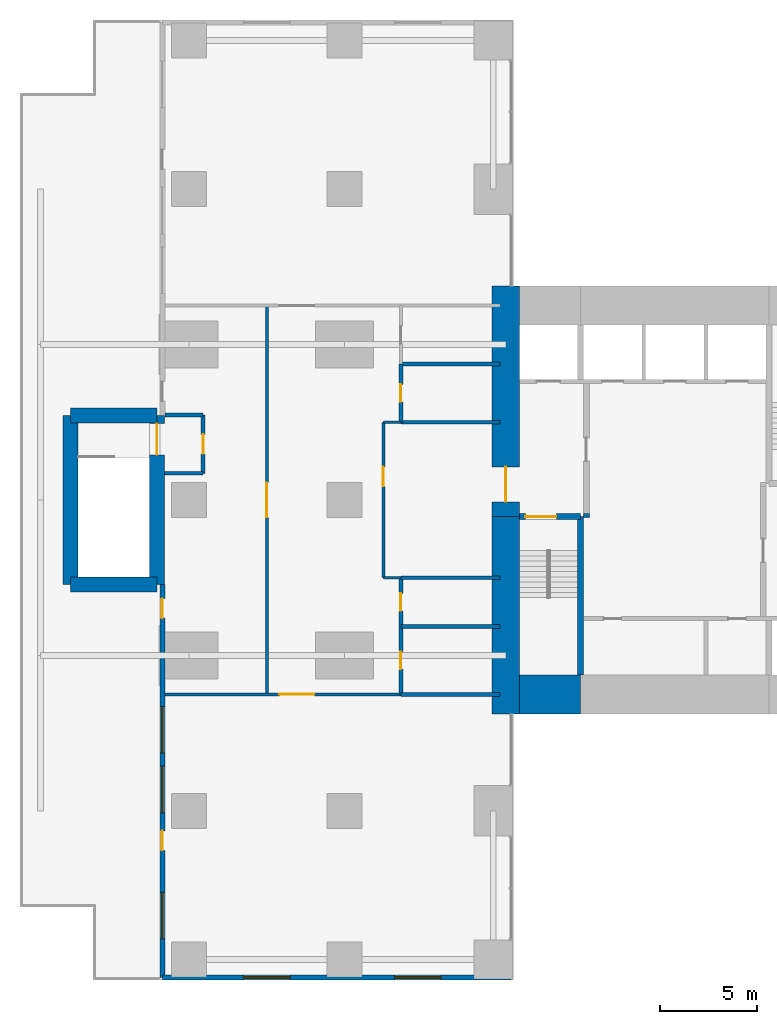
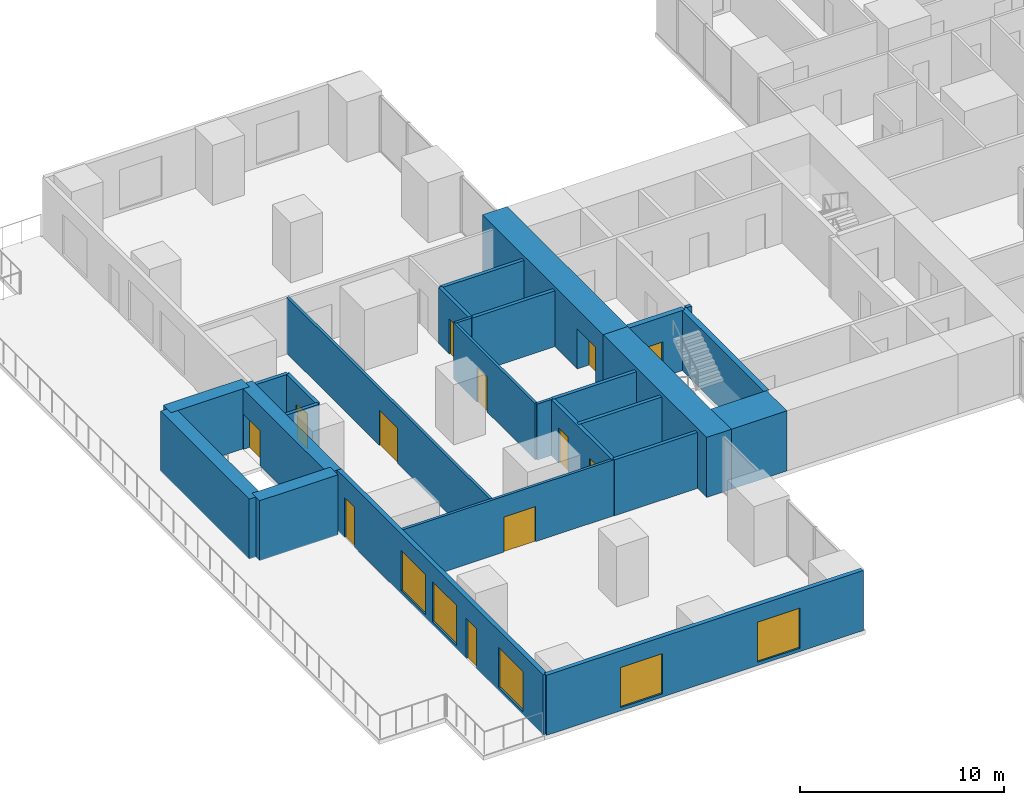
# One storey, part 10 of 16: 27 walls, 12 doors, 5 windows, 17 openings.
"""IFC4 building model written with IfcOpenShell, lengths in metres."""

import ifcopenshell
import ifcopenshell.guid

model = None  # the IFC model being written
_history = None  # IfcOwnerHistory: only IFC2X3 demands one
_inside = {}  # id of a spatial element -> (the spatial element, [elements in it])
_under = {}  # id of a project, library or spatial element -> (it, [spatial elements below it])
_declared = {}  # id of a project -> (the project, [libraries it declares])
_typed = {}  # id of a type object -> (the type object, [elements of that type])
_made_of = {}  # id of a material, layer set ... -> (it, [elements and type objects made of it])


def new_model(schema):
    """Start an empty IFC model of exactly this schema.

    Asked for "IFC4X3", IfcOpenShell would pick the latest addendum, in which some entities
    have other attributes; the version numbers below select the first issue.
    IFC2X3 requires an IfcOwnerHistory on every rooted entity: one is made here for all.
    """
    global model, _history
    if schema == "IFC4X3":
        model = ifcopenshell.file(schema_version=(4, 3, 0, 0))
    else:
        model = ifcopenshell.file(schema=schema)
    _inside.clear()
    _under.clear()
    _declared.clear()
    _typed.clear()
    _made_of.clear()
    _history = None
    if model.schema == "IFC2X3":
        org = make("IfcOrganization", Name="unknown")
        user = make(
            "IfcPersonAndOrganization",
            ThePerson=make("IfcPerson", FamilyName="unknown"),
            TheOrganization=org,
        )
        app = make(
            "IfcApplication",
            ApplicationDeveloper=org,
            Version="unknown",
            ApplicationFullName="unknown",
            ApplicationIdentifier="unknown",
        )
        _history = make(
            "IfcOwnerHistory",
            OwningUser=user,
            OwningApplication=app,
            ChangeAction="ADDED",
            CreationDate=0,
        )
    return model


def make(cls, **values):
    """One entity of the class cls with the attributes given. An attribute that is None is left unset."""
    return model.create_entity(
        cls, **{name: value for name, value in values.items() if value is not None}
    )


def rooted(cls, **values):
    """An entity with a GlobalId (a new one), such as an element, a storey or a relation."""
    return make(cls, GlobalId=ifcopenshell.guid.new(), OwnerHistory=_history, **values)


def si_unit(unit_type, name, prefix=None):
    """IfcSIUnit, for example si_unit("LENGTHUNIT", "METRE", prefix="MILLI")."""
    return make("IfcSIUnit", UnitType=unit_type, Prefix=prefix, Name=name)


def assignment(units):
    """IfcUnitAssignment: the units of a project."""
    return None if units is None else make("IfcUnitAssignment", Units=units)


def point(xyz):
    """IfcCartesianPoint."""
    return None if xyz is None else make("IfcCartesianPoint", Coordinates=xyz)


def direction(xyz):
    """IfcDirection."""
    return None if xyz is None else make("IfcDirection", DirectionRatios=xyz)


def frame(location, z_axis=None, x_axis=None):
    """IfcAxis2Placement3D, a coordinate frame: its origin and axes. An axis left out is left unset."""
    return make(
        "IfcAxis2Placement3D",
        Location=point(location),
        Axis=direction(z_axis),
        RefDirection=direction(x_axis),
    )


def frame_2d(location, x_axis=None):
    """IfcAxis2Placement2D, a coordinate frame in the plane: its origin and x axis."""
    return make(
        "IfcAxis2Placement2D", Location=point(location), RefDirection=direction(x_axis)
    )


def origin():
    """The frame at (0, 0, 0) with its axes left unset."""
    return frame((0.0, 0.0, 0.0))


def place(relative_to, where):
    """IfcLocalPlacement: puts the frame where relative to a parent placement (None: the world)."""
    return make(
        "IfcLocalPlacement", PlacementRelTo=relative_to, RelativePlacement=where
    )


def context(
    kind, dimensions, precision=None, world=None, true_north=None, identifier=None
):
    """IfcGeometricRepresentationContext, for example the 3D "Model" context."""
    return make(
        "IfcGeometricRepresentationContext",
        ContextIdentifier=identifier,
        ContextType=kind,
        CoordinateSpaceDimension=dimensions,
        Precision=precision,
        WorldCoordinateSystem=world,
        TrueNorth=true_north,
    )


def subcontext(parent, identifier, kind, view, scale=None):
    """IfcGeometricRepresentationSubContext, for example "Body" below "Model"."""
    return make(
        "IfcGeometricRepresentationSubContext",
        ContextIdentifier=identifier,
        ContextType=kind,
        ParentContext=parent,
        TargetScale=scale,
        TargetView=view,
    )


def project(units=None, contexts=None):
    """IfcProject with its units and contexts."""
    return rooted(
        "IfcProject",
        Name="project",
        RepresentationContexts=contexts,
        UnitsInContext=assignment(units),
    )


def spatial(cls, under=None, at=None, **own):
    """A site, building, storey or space (cls), placed at a placement, below another one or the project."""
    s = rooted(cls, ObjectPlacement=at, **own)
    if under is not None:
        _under.setdefault(under.id(), (under, []))[1].append(s)
    return s


def profile(cls, at=None, kind="AREA", **sizes):
    """A parametric profile (cls). Its sizes go by their IFC names, for example OverallWidth=200.0."""
    return make(cls, ProfileType=kind, Position=at, **sizes)


def rectangle(**sizes):
    """IfcRectangleProfileDef."""
    return profile("IfcRectangleProfileDef", **sizes)


def extrude(swept, where, along, depth):
    """IfcExtrudedAreaSolid: the profile swept, set in the frame where, extruded along a direction by depth."""
    return make(
        "IfcExtrudedAreaSolid",
        SweptArea=swept,
        Position=where,
        ExtrudedDirection=direction(along),
        Depth=depth,
    )


def shape(context_of_items, identifier, shape_type, items):
    """IfcShapeRepresentation: the items that make up one representation, for example the "Body"."""
    return make(
        "IfcShapeRepresentation",
        ContextOfItems=context_of_items,
        RepresentationIdentifier=identifier,
        RepresentationType=shape_type,
        Items=items,
    )


def material(Name=None, Category=None):
    """IfcMaterial."""
    return make("IfcMaterial", Name=Name, Category=Category)


def layer(
    of_material, thickness, ventilated=None, Name=None, Category=None, Priority=None
):
    """IfcMaterialLayer: one layer of a wall or slab, of a material (None: an air gap)."""
    return make(
        "IfcMaterialLayer",
        Material=of_material,
        LayerThickness=thickness,
        IsVentilated=ventilated,
        Name=Name,
        Category=Category,
        Priority=Priority,
    )


def layer_set(layers, Name=None):
    """IfcMaterialLayerSet."""
    return make("IfcMaterialLayerSet", MaterialLayers=layers, LayerSetName=Name)


def made_of(thing, what):
    """Note that an element or type object is made of a material, layer set ...; save() writes the relation."""
    if what is not None:
        _made_of.setdefault(what.id(), (what, []))[1].append(thing)
    return thing


def type_object(cls, material=None, **own):
    """A type object (cls), such as IfcWallType, which elements share."""
    return made_of(rooted(cls, **own), material)


def element(
    cls,
    number,
    at=None,
    inside=None,
    cuts=None,
    type_object=None,
    material=None,
    context=None,
    identifier="Body",
    shape_type=None,
    held_by="IfcProductDefinitionShape",
    body=None,
    shapes=None,
    **own,
):
    """One element of the class cls, such as IfcWall. Its Tag is "e" and its number.

    at: its placement. inside: the storey or other place that contains it. cuts: it is an
    opening in that element (IfcRelVoidsElement). A single representation is given by context,
    identifier, shape_type and body (its items); several are given by shapes. held_by: the class
    of the entity that holds the representations. save() writes the other relations.
    """
    e = rooted(cls, Tag="e%d" % number, ObjectPlacement=at, **own)
    if body is not None:
        shapes = [shape(context, identifier, shape_type, body)]
    if shapes is not None:
        e.Representation = make(held_by, Representations=shapes)
    if inside is not None:
        _inside.setdefault(inside.id(), (inside, []))[1].append(e)
    if cuts is not None:
        rooted(
            "IfcRelVoidsElement", RelatingBuildingElement=cuts, RelatedOpeningElement=e
        )
    if type_object is not None:
        _typed.setdefault(type_object.id(), (type_object, []))[1].append(e)
    return made_of(e, material)


def fill(opening, filler):
    """IfcRelFillsElement: the door or window that sits in an opening."""
    return rooted(
        "IfcRelFillsElement",
        RelatingOpeningElement=opening,
        RelatedBuildingElement=filler,
    )


def aggregate(whole, parts):
    """IfcRelAggregates: a whole, such as a stair, and the parts it consists of."""
    return rooted("IfcRelAggregates", RelatingObject=whole, RelatedObjects=parts)


def save(model, path):
    """Write the relations noted so far, then the file.

    IfcRelAggregates (storeys below a building ...), IfcRelContainedInSpatialStructure (elements
    in a storey), IfcRelDefinesByType, IfcRelAssociatesMaterial and IfcRelDeclares: one each for
    every whole, place, type object, material and project.
    """
    for whole, parts in _under.values():
        aggregate(whole, parts)
    for where, things in _inside.values():
        rooted(
            "IfcRelContainedInSpatialStructure",
            RelatedElements=things,
            RelatingStructure=where,
        )
    for kind, things in _typed.values():
        rooted("IfcRelDefinesByType", RelatedObjects=things, RelatingType=kind)
    for what, things in _made_of.values():
        rooted("IfcRelAssociatesMaterial", RelatedObjects=things, RelatingMaterial=what)
    for by, libraries in _declared.values():
        rooted("IfcRelDeclares", RelatingContext=by, RelatedDefinitions=libraries)
    model.write(path)


model = new_model("IFC4")

# Units and contexts
model_context = context("Model", 3, precision=1e-05, world=origin(), true_north=direction((0.0, 1.0)))
body_context = subcontext(model_context, "Body", "Model", "MODEL_VIEW")
ifc_project = project(units=[si_unit("LENGTHUNIT", "METRE"), si_unit("AREAUNIT", "SQUARE_METRE"), si_unit("VOLUMEUNIT", "CUBIC_METRE"), si_unit("PLANEANGLEUNIT", "RADIAN"), si_unit("MASSUNIT", "GRAM", prefix="KILO")], contexts=[model_context])

# Site, building, storey
site_placement = place(None, origin())
site = spatial("IfcSite", under=ifc_project, at=site_placement, CompositionType="ELEMENT")
building_placement = place(site_placement, origin())
building = spatial("IfcBuilding", under=site, at=building_placement, Name="Cleftline Residences", CompositionType="ELEMENT")
storey_placement = place(building_placement, frame((0.0, 0.0, 218.199951171875)))
storey = spatial("IfcBuildingStorey", under=building, at=storey_placement, Name="L57", CompositionType="ELEMENT", Elevation=218.199951171875)

# Wall
ifc_material_1 = material(Name="Concrete B70", Category="concrete")
ifc_layer_1 = layer(ifc_material_1, 1.39990234375)
ifc_layer_set_1 = layer_set([ifc_layer_1], Name="CORE WALL 1400")
wall_type_1 = type_object("IfcWallType", Name="CORE WALL 1400", PredefinedType="SHEAR", material=ifc_layer_set_1)
wall_1_placement = place(storey_placement, frame((24.300048828125, 13.0, 0.0), z_axis=(0.0, 0.0, 1.0), x_axis=(0.0, 1.0, 0.0)))
element("IfcWall", 1, at=wall_1_placement, inside=storey, type_object=wall_type_1, Name="Core wall W0", PredefinedType="SHEAR", context=body_context, shape_type="SweptSolid", body=[
    extrude(rectangle(XDim=10.14990234375, YDim=1.39990234375, at=frame_2d((5.074951171875, 0.0))), origin(), (0.0, 0.0, 1.0), 3.60009765625),
])

# Wall, opening, door
wall_2_placement = place(storey_placement, frame((24.300048828125, 23.14990234375, 0.0), z_axis=(0.0, 0.0, 1.0), x_axis=(0.0, 1.0, 0.0)))
wall_2 = element("IfcWall", 2, at=wall_2_placement, inside=storey, type_object=wall_type_1, Name="Core wall W", PredefinedType="SHEAR", context=body_context, shape_type="SweptSolid", body=[
    extrude(rectangle(XDim=11.85009765625, YDim=1.39990234375, at=frame_2d((5.925048828125, 0.0))), origin(), (0.0, 0.0, 1.0), 3.60009765625),
])
opening_1_placement = place(wall_2_placement, frame((0.75, 0.0, 0.0)))
opening_1 = element("IfcOpeningElement", 3, at=opening_1_placement, cuts=wall_2, Name="Opening D7", PredefinedType="OPENING", context=body_context, shape_type="SweptSolid", body=[
    extrude(rectangle(XDim=1.800048828125, YDim=2.39990234375, at=frame_2d((0.89990234375, 1.199951171875))), frame((0.0, 0.7099609375, 0.0), z_axis=(0.0, -1.0, 0.0), x_axis=(1.0, 0.0, 0.0)), (0.0, 0.0, 1.0), 1.419921875),
])
ifc_material_2 = material(Name="Steel", Category="steel")
door_type_1 = type_object("IfcDoorType", Name="WING DOOR 1800X2400", OperationType="DOUBLE_DOOR_DOUBLE_SWING", PredefinedType="DOOR", material=ifc_material_2)
door_1_placement = place(opening_1_placement, origin())
door_1 = element("IfcDoor", 4, at=door_1_placement, inside=storey, type_object=door_type_1, Name="West wing door", OperationType="DOUBLE_DOOR_DOUBLE_SWING", OverallHeight=2.39990234375, OverallWidth=1.800048828125, PredefinedType="DOOR", context=body_context, shape_type="SweptSolid", body=[
    extrude(rectangle(XDim=1.800048828125, YDim=2.39990234375, at=frame_2d((0.89990234375, 1.199951171875))), frame((0.0, 0.02490234375, 0.0), z_axis=(0.0, -1.0, 0.0), x_axis=(1.0, 0.0, 0.0)), (0.0, 0.0, 1.0), 0.050048828125),
])
fill(opening_1, door_1)

# Walls
ifc_material_3 = material(Name="Concrete B70", Category="concrete")
ifc_layer_2 = layer(ifc_material_3, 2.0)
ifc_layer_set_2 = layer_set([ifc_layer_2], Name="CORE WALL 2000")
wall_type_2 = type_object("IfcWallType", Name="CORE WALL 2000", PredefinedType="SHEAR", material=ifc_layer_set_2)
wall_3_placement = place(storey_placement, frame((25.0, 14.0, 0.0), z_axis=(0.0, 0.0, 1.0), x_axis=(1.0, 0.0, 0.0)))
element("IfcWall", 5, at=wall_3_placement, inside=storey, type_object=wall_type_2, Name="Core wall S1", PredefinedType="SHEAR", context=body_context, shape_type="SweptSolid", body=[
    extrude(rectangle(XDim=3.14990234375, YDim=2.0, at=frame_2d((1.574951171875, 0.0))), origin(), (0.0, 0.0, 1.0), 3.60009765625),
])
ifc_material_4 = material(Name="Concrete B70", Category="concrete")
ifc_layer_3 = layer(ifc_material_4, 0.300048828125)
ifc_layer_set_3 = layer_set([ifc_layer_3], Name="CORE WALL 300")
wall_type_3 = type_object("IfcWallType", Name="CORE WALL 300", PredefinedType="SHEAR", material=ifc_layer_set_3)
wall_4_placement = place(storey_placement, frame((28.14990234375, 15.0, 0.0), z_axis=(0.0, 0.0, 1.0), x_axis=(0.0, 1.0, 0.0)))
element("IfcWall", 6, at=wall_4_placement, inside=storey, type_object=wall_type_3, Name="Core wall SA-E", PredefinedType="SHEAR", context=body_context, shape_type="SweptSolid", body=[
    extrude(rectangle(XDim=8.14990234375, YDim=0.300048828125, at=frame_2d((4.074951171875, 0.0))), origin(), (0.0, 0.0, 1.0), 3.60009765625),
])

# Wall, opening, door
wall_5_placement = place(storey_placement, frame((25.0, 23.14990234375, 0.0), z_axis=(0.0, 0.0, 1.0), x_axis=(1.0, 0.0, 0.0)))
wall_5 = element("IfcWall", 7, at=wall_5_placement, inside=storey, type_object=wall_type_3, Name="Core wall SA-N", PredefinedType="SHEAR", context=body_context, shape_type="SweptSolid", body=[
    extrude(rectangle(XDim=3.14990234375, YDim=0.300048828125, at=frame_2d((1.574951171875, 0.0))), origin(), (0.0, 0.0, 1.0), 3.60009765625),
])
opening_2_placement = place(wall_5_placement, frame((0.300048828125, 0.0, 0.0)))
opening_2 = element("IfcOpeningElement", 8, at=opening_2_placement, cuts=wall_5, Name="Opening D9", PredefinedType="OPENING", context=body_context, shape_type="SweptSolid", body=[
    extrude(rectangle(XDim=1.60009765625, YDim=2.10009765625, at=frame_2d((0.800048828125, 1.050048828125))), frame((0.0, 0.159912109375, 0.0), z_axis=(0.0, -1.0, 0.0), x_axis=(1.0, 0.0, 0.0)), (0.0, 0.0, 1.0), 0.320068359375),
])
ifc_material_5 = material(Name="Steel", Category="steel")
door_type_2 = type_object("IfcDoorType", Name="STAIR DOOR 1600X2100", OperationType="DOUBLE_DOOR_SINGLE_SWING", PredefinedType="DOOR", material=ifc_material_5)
door_2_placement = place(opening_2_placement, origin())
door_2 = element("IfcDoor", 9, at=door_2_placement, inside=storey, type_object=door_type_2, Name="Stair A door", OperationType="DOUBLE_DOOR_SINGLE_SWING", OverallHeight=2.10009765625, OverallWidth=1.60009765625, PredefinedType="DOOR", context=body_context, shape_type="SweptSolid", body=[
    extrude(rectangle(XDim=1.60009765625, YDim=2.10009765625, at=frame_2d((0.800048828125, 1.050048828125))), frame((0.0, 0.02490234375, 0.0), z_axis=(0.0, -1.0, 0.0), x_axis=(1.0, 0.0, 0.0)), (0.0, 0.0, 1.0), 0.050048828125),
])
fill(opening_2, door_2)

# Wall, openings, doors, windows
ifc_material_6 = material(Name="Rendered reinforced concrete blockwork", Category="masonry")
ifc_layer_4 = layer(ifc_material_6, 0.25)
ifc_layer_set_4 = layer_set([ifc_layer_4], Name="EXTERNAL WALL 250")
wall_type_4 = type_object("IfcWallType", Name="EXTERNAL WALL 250", PredefinedType="SOLIDWALL", material=ifc_layer_set_4)
wall_6_placement = place(storey_placement, frame((6.625, 19.64990234375, 0.0), z_axis=(0.0, 0.0, 1.0), x_axis=(0.0, -1.0, 0.0)))
wall_6 = element("IfcWall", 10, at=wall_6_placement, inside=storey, type_object=wall_type_4, Name="External wall", PredefinedType="SOLIDWALL", context=body_context, shape_type="SweptSolid", body=[
    extrude(rectangle(XDim=20.224853515625, YDim=0.25, at=frame_2d((10.1123046875, 0.0))), origin(), (0.0, 0.0, 1.0), 3.60009765625),
])
opening_3_placement = place(wall_6_placement, frame((0.72509765625, 0.0, 0.0)))
opening_3 = element("IfcOpeningElement", 11, at=opening_3_placement, cuts=wall_6, Name="Opening DT1", PredefinedType="OPENING", context=body_context, shape_type="SweptSolid", body=[
    extrude(rectangle(XDim=1.0, YDim=2.39990234375, at=frame_2d((0.5, 1.199951171875))), frame((0.0, 0.135009765625, 0.0), z_axis=(0.0, -1.0, 0.0), x_axis=(1.0, 0.0, 0.0)), (0.0, 0.0, 1.0), 0.27001953125),
])
opening_4_placement = place(wall_6_placement, frame((12.675048828125, 0.0, 0.0)))
opening_4 = element("IfcOpeningElement", 12, at=opening_4_placement, cuts=wall_6, Name="Opening DT1", PredefinedType="OPENING", context=body_context, shape_type="SweptSolid", body=[
    extrude(rectangle(XDim=1.0, YDim=2.39990234375, at=frame_2d((0.5, 1.199951171875))), frame((0.0, 0.135009765625, 0.0), z_axis=(0.0, -1.0, 0.0), x_axis=(1.0, 0.0, 0.0)), (0.0, 0.0, 1.0), 0.27001953125),
])
opening_5_placement = place(wall_6_placement, frame((6.28125, 0.0, 0.199951171875)))
opening_5 = element("IfcOpeningElement", 13, at=opening_5_placement, cuts=wall_6, Name="Opening W9", PredefinedType="OPENING", context=body_context, shape_type="SweptSolid", body=[
    extrude(rectangle(XDim=2.39990234375, YDim=2.39990234375, at=frame_2d((1.199951171875, 1.199951171875))), frame((0.0, 0.135009765625, 0.0), z_axis=(0.0, -1.0, 0.0), x_axis=(1.0, 0.0, 0.0)), (0.0, 0.0, 1.0), 0.27001953125),
])
opening_6_placement = place(wall_6_placement, frame((9.34375, 0.0, 0.199951171875)))
opening_6 = element("IfcOpeningElement", 14, at=opening_6_placement, cuts=wall_6, Name="Opening W9", PredefinedType="OPENING", context=body_context, shape_type="SweptSolid", body=[
    extrude(rectangle(XDim=2.39990234375, YDim=2.39990234375, at=frame_2d((1.199951171875, 1.199951171875))), frame((0.0, 0.135009765625, 0.0), z_axis=(0.0, -1.0, 0.0), x_axis=(1.0, 0.0, 0.0)), (0.0, 0.0, 1.0), 0.27001953125),
])
opening_7_placement = place(wall_6_placement, frame((15.83740234375, 0.0, 0.199951171875)))
opening_7 = element("IfcOpeningElement", 15, at=opening_7_placement, cuts=wall_6, Name="Opening W9", PredefinedType="OPENING", context=body_context, shape_type="SweptSolid", body=[
    extrude(rectangle(XDim=2.39990234375, YDim=2.39990234375, at=frame_2d((1.199951171875, 1.199951171875))), frame((0.0, 0.135009765625, 0.0), z_axis=(0.0, -1.0, 0.0), x_axis=(1.0, 0.0, 0.0)), (0.0, 0.0, 1.0), 0.27001953125),
])
ifc_material_7 = material(Name="Aluminium and laminated glass", Category="aluminium")
door_type_3 = type_object("IfcDoorType", Name="TERRACE DOOR 1000X2400", OperationType="SINGLE_SWING_LEFT", PredefinedType="DOOR", material=ifc_material_7)
door_3_placement = place(opening_3_placement, origin())
door_3 = element("IfcDoor", 16, at=door_3_placement, inside=storey, type_object=door_type_3, Name="Terrace door", OperationType="SINGLE_SWING_RIGHT", OverallHeight=2.39990234375, OverallWidth=1.0, PredefinedType="DOOR", context=body_context, shape_type="SweptSolid", body=[
    extrude(rectangle(XDim=1.0, YDim=2.39990234375, at=frame_2d((0.5, 1.199951171875))), frame((0.0, 0.02490234375, 0.0), z_axis=(0.0, -1.0, 0.0), x_axis=(1.0, 0.0, 0.0)), (0.0, 0.0, 1.0), 0.050048828125),
])
fill(opening_3, door_3)
door_4_placement = place(opening_4_placement, origin())
door_4 = element("IfcDoor", 17, at=door_4_placement, inside=storey, type_object=door_type_3, Name="Terrace door", OperationType="SINGLE_SWING_LEFT", OverallHeight=2.39990234375, OverallWidth=1.0, PredefinedType="DOOR", context=body_context, shape_type="SweptSolid", body=[
    extrude(rectangle(XDim=1.0, YDim=2.39990234375, at=frame_2d((0.5, 1.199951171875))), frame((0.0, 0.02490234375, 0.0), z_axis=(0.0, -1.0, 0.0), x_axis=(1.0, 0.0, 0.0)), (0.0, 0.0, 1.0), 0.050048828125),
])
fill(opening_4, door_4)
ifc_material_8 = material(Name="Aluminium frame, clear double glazing", Category="aluminium")
window_type = type_object("IfcWindowType", Name="WINDOW 2400X2400", PartitioningType="DOUBLE_PANEL_VERTICAL", PredefinedType="WINDOW", material=ifc_material_8)
window_1_placement = place(opening_5_placement, origin())
window_1 = element("IfcWindow", 18, at=window_1_placement, inside=storey, type_object=window_type, Name="Window", OverallHeight=2.39990234375, OverallWidth=2.39990234375, PartitioningType="SINGLE_PANEL", PredefinedType="WINDOW", context=body_context, shape_type="SweptSolid", body=[
    extrude(rectangle(XDim=2.39990234375, YDim=2.39990234375, at=frame_2d((1.199951171875, 1.199951171875))), frame((0.0, 0.030029296875, 0.0), z_axis=(0.0, -1.0, 0.0), x_axis=(1.0, 0.0, 0.0)), (0.0, 0.0, 1.0), 0.06005859375),
])
fill(opening_5, window_1)
window_2_placement = place(opening_6_placement, origin())
window_2 = element("IfcWindow", 19, at=window_2_placement, inside=storey, type_object=window_type, Name="Window", OverallHeight=2.39990234375, OverallWidth=2.39990234375, PartitioningType="SINGLE_PANEL", PredefinedType="WINDOW", context=body_context, shape_type="SweptSolid", body=[
    extrude(rectangle(XDim=2.39990234375, YDim=2.39990234375, at=frame_2d((1.199951171875, 1.199951171875))), frame((0.0, 0.030029296875, 0.0), z_axis=(0.0, -1.0, 0.0), x_axis=(1.0, 0.0, 0.0)), (0.0, 0.0, 1.0), 0.06005859375),
])
fill(opening_6, window_2)
window_3_placement = place(opening_7_placement, origin())
window_3 = element("IfcWindow", 20, at=window_3_placement, inside=storey, type_object=window_type, Name="Window", OverallHeight=2.39990234375, OverallWidth=2.39990234375, PartitioningType="SINGLE_PANEL", PredefinedType="WINDOW", context=body_context, shape_type="SweptSolid", body=[
    extrude(rectangle(XDim=2.39990234375, YDim=2.39990234375, at=frame_2d((1.199951171875, 1.199951171875))), frame((0.0, 0.030029296875, 0.0), z_axis=(0.0, -1.0, 0.0), x_axis=(1.0, 0.0, 0.0)), (0.0, 0.0, 1.0), 0.06005859375),
])
fill(opening_7, window_3)

# Wall, openings, windows
wall_7_placement = place(storey_placement, frame((6.625, -0.574951171875, 0.0), z_axis=(0.0, 0.0, 1.0), x_axis=(1.0, 0.0, 0.0)))
wall_7 = element("IfcWall", 21, at=wall_7_placement, inside=storey, type_object=wall_type_4, Name="External wall", PredefinedType="SOLIDWALL", context=body_context, shape_type="SweptSolid", body=[
    extrude(rectangle(XDim=17.949951171875, YDim=0.25, at=frame_2d((8.97509765625, 0.0))), origin(), (0.0, 0.0, 1.0), 3.60009765625),
])
opening_8_placement = place(wall_7_placement, frame((4.175048828125, 0.0, 0.199951171875)))
opening_8 = element("IfcOpeningElement", 22, at=opening_8_placement, cuts=wall_7, Name="Opening W9", PredefinedType="OPENING", context=body_context, shape_type="SweptSolid", body=[
    extrude(rectangle(XDim=2.39990234375, YDim=2.39990234375, at=frame_2d((1.199951171875, 1.199951171875))), frame((0.0, 0.135009765625, 0.0), z_axis=(0.0, -1.0, 0.0), x_axis=(1.0, 0.0, 0.0)), (0.0, 0.0, 1.0), 0.27001953125),
])
opening_9_placement = place(wall_7_placement, frame((11.949951171875, 0.0, 0.199951171875)))
opening_9 = element("IfcOpeningElement", 23, at=opening_9_placement, cuts=wall_7, Name="Opening W9", PredefinedType="OPENING", context=body_context, shape_type="SweptSolid", body=[
    extrude(rectangle(XDim=2.39990234375, YDim=2.39990234375, at=frame_2d((1.199951171875, 1.199951171875))), frame((0.0, 0.135009765625, 0.0), z_axis=(0.0, -1.0, 0.0), x_axis=(1.0, 0.0, 0.0)), (0.0, 0.0, 1.0), 0.27001953125),
])
window_4_placement = place(opening_8_placement, origin())
window_4 = element("IfcWindow", 24, at=window_4_placement, inside=storey, type_object=window_type, Name="Window", OverallHeight=2.39990234375, OverallWidth=2.39990234375, PartitioningType="SINGLE_PANEL", PredefinedType="WINDOW", context=body_context, shape_type="SweptSolid", body=[
    extrude(rectangle(XDim=2.39990234375, YDim=2.39990234375, at=frame_2d((1.199951171875, 1.199951171875))), frame((0.0, 0.030029296875, 0.0), z_axis=(0.0, -1.0, 0.0), x_axis=(1.0, 0.0, 0.0)), (0.0, 0.0, 1.0), 0.06005859375),
])
fill(opening_8, window_4)
window_5_placement = place(opening_9_placement, origin())
window_5 = element("IfcWindow", 25, at=window_5_placement, inside=storey, type_object=window_type, Name="Window", OverallHeight=2.39990234375, OverallWidth=2.39990234375, PartitioningType="SINGLE_PANEL", PredefinedType="WINDOW", context=body_context, shape_type="SweptSolid", body=[
    extrude(rectangle(XDim=2.39990234375, YDim=2.39990234375, at=frame_2d((1.199951171875, 1.199951171875))), frame((0.0, 0.030029296875, 0.0), z_axis=(0.0, -1.0, 0.0), x_axis=(1.0, 0.0, 0.0)), (0.0, 0.0, 1.0), 0.06005859375),
])
fill(opening_9, window_5)

# Walls
ifc_material_9 = material(Name="Concrete blockwork, fire rated", Category="masonry")
ifc_layer_5 = layer(ifc_material_9, 0.199951171875)
ifc_layer_set_5 = layer_set([ifc_layer_5], Name="FIRE WALL 200")
wall_type_5 = type_object("IfcWallType", Name="FIRE WALL 200", PredefinedType="PARTITIONING", material=ifc_layer_set_5)
for number, where, z_axis, x_axis, name in (
    (26, (18.89990234375, 14.0, 0.0), (0.0, 0.0, 1.0), (1.0, 0.0, 0.0), "Fire separating wall"),
    (27, (18.89990234375, 17.5, 0.0), (0.0, 0.0, 1.0), (1.0, 0.0, 0.0), "Fire separating wall"),
    (28, (18.89990234375, 20.0, 0.0), (0.0, 0.0, 1.0), (1.0, 0.0, 0.0), "Fire separating wall"),
):
    element("IfcWall", number, at=place(storey_placement, frame(where, z_axis=z_axis, x_axis=x_axis)), inside=storey, type_object=wall_type_5, Name=name, PredefinedType="PARTITIONING", context=body_context, shape_type="SweptSolid", body=[
        extrude(rectangle(XDim=5.10009765625, YDim=0.199951171875, at=frame_2d((2.550048828125, 0.0))), origin(), (0.0, 0.0, 1.0), 3.35009765625),
    ])
wall_8_placement = place(storey_placement, frame((6.72509765625, 25.375, 0.0), z_axis=(0.0, 0.0, 1.0), x_axis=(1.0, 0.0, 0.0)))
element("IfcWall", 29, at=wall_8_placement, inside=storey, type_object=wall_type_5, Name="Fire separating wall", PredefinedType="PARTITIONING", context=body_context, shape_type="SweptSolid", body=[
    extrude(rectangle(XDim=2.0, YDim=0.199951171875, at=frame_2d((1.0, 0.0))), origin(), (0.0, 0.0, 1.0), 3.35009765625),
])
wall_9_placement = place(storey_placement, frame((18.89990234375, 28.0, 0.0), z_axis=(0.0, 0.0, 1.0), x_axis=(1.0, 0.0, 0.0)))
element("IfcWall", 30, at=wall_9_placement, inside=storey, type_object=wall_type_5, Name="Fire separating wall", PredefinedType="PARTITIONING", context=body_context, shape_type="SweptSolid", body=[
    extrude(rectangle(XDim=5.10009765625, YDim=0.199951171875, at=frame_2d((2.550048828125, 0.0))), origin(), (0.0, 0.0, 1.0), 3.35009765625),
])
wall_10_placement = place(storey_placement, frame((6.75, 28.375, 0.0), z_axis=(0.0, 0.0, 1.0), x_axis=(1.0, 0.0, 0.0)))
element("IfcWall", 31, at=wall_10_placement, inside=storey, type_object=wall_type_5, Name="Fire separating wall", PredefinedType="PARTITIONING", context=body_context, shape_type="SweptSolid", body=[
    extrude(rectangle(XDim=1.97509765625, YDim=0.199951171875, at=frame_2d((0.987548828125, 0.0))), origin(), (0.0, 0.0, 1.0), 3.35009765625),
])
wall_11_placement = place(storey_placement, frame((18.89990234375, 31.0, 0.0), z_axis=(0.0, 0.0, 1.0), x_axis=(1.0, 0.0, 0.0)))
element("IfcWall", 32, at=wall_11_placement, inside=storey, type_object=wall_type_5, Name="Fire separating wall", PredefinedType="PARTITIONING", context=body_context, shape_type="SweptSolid", body=[
    extrude(rectangle(XDim=5.10009765625, YDim=0.199951171875, at=frame_2d((2.550048828125, 0.0))), origin(), (0.0, 0.0, 1.0), 3.35009765625),
])

# Wall, opening, door
wall_12_placement = place(storey_placement, frame((8.72509765625, 25.375, 0.0), z_axis=(0.0, 0.0, 1.0), x_axis=(0.0, 1.0, 0.0)))
wall_12 = element("IfcWall", 33, at=wall_12_placement, inside=storey, type_object=wall_type_5, Name="Fire separating wall", PredefinedType="PARTITIONING", context=body_context, shape_type="SweptSolid", body=[
    extrude(rectangle(XDim=3.0, YDim=0.199951171875, at=frame_2d((1.5, 0.0))), origin(), (0.0, 0.0, 1.0), 3.35009765625),
])
opening_10_placement = place(wall_12_placement, frame((1.0, 0.0, 0.0)))
opening_10 = element("IfcOpeningElement", 34, at=opening_10_placement, cuts=wall_12, Name="Opening D2F60", PredefinedType="OPENING", context=body_context, shape_type="SweptSolid", body=[
    extrude(rectangle(XDim=1.0, YDim=2.10009765625, at=frame_2d((0.5, 1.050048828125))), frame((0.0, 0.10986328125, 0.0), z_axis=(0.0, -1.0, 0.0), x_axis=(1.0, 0.0, 0.0)), (0.0, 0.0, 1.0), 0.219970703125),
])
ifc_material_10 = material(Name="Timber veneer on solid core", Category="wood")
door_type_4 = type_object("IfcDoorType", Name="DOOR 1000X2100 EI 60", OperationType="SINGLE_SWING_LEFT", PredefinedType="DOOR", material=ifc_material_10)
door_5_placement = place(opening_10_placement, origin())
door_5 = element("IfcDoor", 35, at=door_5_placement, inside=storey, type_object=door_type_4, Name="Door to stair w lobby", OperationType="SINGLE_SWING_LEFT", OverallHeight=2.10009765625, OverallWidth=1.0, PredefinedType="DOOR", context=body_context, shape_type="SweptSolid", body=[
    extrude(rectangle(XDim=1.0, YDim=2.10009765625, at=frame_2d((0.5, 1.050048828125))), frame((0.0, 0.02490234375, 0.0), z_axis=(0.0, -1.0, 0.0), x_axis=(1.0, 0.0, 0.0)), (0.0, 0.0, 1.0), 0.050048828125),
])
fill(opening_10, door_5)

# Wall, openings, doors
wall_13_placement = place(storey_placement, frame((18.89990234375, 14.0, 0.0), z_axis=(0.0, 0.0, 1.0), x_axis=(0.0, 1.0, 0.0)))
wall_13 = element("IfcWall", 36, at=wall_13_placement, inside=storey, type_object=wall_type_5, Name="Fire separating wall", PredefinedType="PARTITIONING", context=body_context, shape_type="SweptSolid", body=[
    extrude(rectangle(XDim=6.0, YDim=0.199951171875, at=frame_2d((3.0, 0.0))), origin(), (0.0, 0.0, 1.0), 3.35009765625),
])
opening_11_placement = place(wall_13_placement, frame((1.300048828125, 0.0, 0.0)))
opening_11 = element("IfcOpeningElement", 37, at=opening_11_placement, cuts=wall_13, Name="Opening D1F30", PredefinedType="OPENING", context=body_context, shape_type="SweptSolid", body=[
    extrude(rectangle(XDim=0.89990234375, YDim=2.10009765625, at=frame_2d((0.449951171875, 1.050048828125))), frame((0.0, 0.10986328125, 0.0), z_axis=(0.0, -1.0, 0.0), x_axis=(1.0, 0.0, 0.0)), (0.0, 0.0, 1.0), 0.219970703125),
])
opening_12_placement = place(wall_13_placement, frame((4.300048828125, 0.0, 0.0)))
opening_12 = element("IfcOpeningElement", 38, at=opening_12_placement, cuts=wall_13, Name="Opening D1F30", PredefinedType="OPENING", context=body_context, shape_type="SweptSolid", body=[
    extrude(rectangle(XDim=0.89990234375, YDim=2.10009765625, at=frame_2d((0.449951171875, 1.050048828125))), frame((0.0, 0.10986328125, 0.0), z_axis=(0.0, -1.0, 0.0), x_axis=(1.0, 0.0, 0.0)), (0.0, 0.0, 1.0), 0.219970703125),
])
ifc_material_11 = material(Name="Timber veneer on solid core", Category="wood")
door_type_5 = type_object("IfcDoorType", Name="DOOR 900X2100 EI 30", OperationType="SINGLE_SWING_LEFT", PredefinedType="DOOR", material=ifc_material_11)
door_6_placement = place(opening_11_placement, origin())
door_6 = element("IfcDoor", 39, at=door_6_placement, inside=storey, type_object=door_type_5, Name="Door to male wc", OperationType="SINGLE_SWING_RIGHT", OverallHeight=2.10009765625, OverallWidth=0.89990234375, PredefinedType="DOOR", context=body_context, shape_type="SweptSolid", body=[
    extrude(rectangle(XDim=0.89990234375, YDim=2.10009765625, at=frame_2d((0.449951171875, 1.050048828125))), frame((0.0, 0.02490234375, 0.0), z_axis=(0.0, -1.0, 0.0), x_axis=(1.0, 0.0, 0.0)), (0.0, 0.0, 1.0), 0.050048828125),
])
fill(opening_11, door_6)
door_7_placement = place(opening_12_placement, origin())
door_7 = element("IfcDoor", 40, at=door_7_placement, inside=storey, type_object=door_type_5, Name="Door to female wc", OperationType="SINGLE_SWING_LEFT", OverallHeight=2.10009765625, OverallWidth=0.89990234375, PredefinedType="DOOR", context=body_context, shape_type="SweptSolid", body=[
    extrude(rectangle(XDim=0.89990234375, YDim=2.10009765625, at=frame_2d((0.449951171875, 1.050048828125))), frame((0.0, 0.02490234375, 0.0), z_axis=(0.0, -1.0, 0.0), x_axis=(1.0, 0.0, 0.0)), (0.0, 0.0, 1.0), 0.050048828125),
])
fill(opening_12, door_7)

# Wall, opening, door
wall_14_placement = place(storey_placement, frame((18.89990234375, 28.0, 0.0), z_axis=(0.0, 0.0, 1.0), x_axis=(0.0, 1.0, 0.0)))
wall_14 = element("IfcWall", 41, at=wall_14_placement, inside=storey, type_object=wall_type_5, Name="Fire separating wall", PredefinedType="PARTITIONING", context=body_context, shape_type="SweptSolid", body=[
    extrude(rectangle(XDim=3.0, YDim=0.199951171875, at=frame_2d((1.5, 0.0))), origin(), (0.0, 0.0, 1.0), 3.35009765625),
])
opening_13_placement = place(wall_14_placement, frame((1.050048828125, 0.0, 0.0)))
opening_13 = element("IfcOpeningElement", 42, at=opening_13_placement, cuts=wall_14, Name="Opening D1F30", PredefinedType="OPENING", context=body_context, shape_type="SweptSolid", body=[
    extrude(rectangle(XDim=0.89990234375, YDim=2.10009765625, at=frame_2d((0.449951171875, 1.050048828125))), frame((0.0, 0.10986328125, 0.0), z_axis=(0.0, -1.0, 0.0), x_axis=(1.0, 0.0, 0.0)), (0.0, 0.0, 1.0), 0.219970703125),
])
door_8_placement = place(opening_13_placement, origin())
door_8 = element("IfcDoor", 43, at=door_8_placement, inside=storey, type_object=door_type_5, Name="Door to accessible wc", OperationType="SINGLE_SWING_LEFT", OverallHeight=2.10009765625, OverallWidth=0.89990234375, PredefinedType="DOOR", context=body_context, shape_type="SweptSolid", body=[
    extrude(rectangle(XDim=0.89990234375, YDim=2.10009765625, at=frame_2d((0.449951171875, 1.050048828125))), frame((0.0, 0.02490234375, 0.0), z_axis=(0.0, -1.0, 0.0), x_axis=(1.0, 0.0, 0.0)), (0.0, 0.0, 1.0), 0.050048828125),
])
fill(opening_13, door_8)

# Wall
wall_15_placement = place(storey_placement, frame((28.300048828125, 23.199951171875, 0.0), z_axis=(0.0, 0.0, 1.0), x_axis=(1.0, 0.0, 0.0)))
element("IfcWall", 44, at=wall_15_placement, inside=storey, type_object=wall_type_5, Name="Fire separating wall", PredefinedType="PARTITIONING", context=body_context, shape_type="SweptSolid", body=[
    extrude(rectangle(XDim=0.300048828125, YDim=0.199951171875, at=frame_2d((0.14990234375, 0.0))), origin(), (0.0, 0.0, 1.0), 3.60009765625),
])

# Wall, opening, door
ifc_material_12 = material(Name="Gypsum board on steel studs", Category="steel")
ifc_layer_6 = layer(ifc_material_12, 0.14990234375)
ifc_layer_set_6 = layer_set([ifc_layer_6], Name="PARTITION 150")
wall_type_6 = type_object("IfcWallType", Name="PARTITION 150", PredefinedType="PARTITIONING", material=ifc_layer_set_6)
wall_16_placement = place(storey_placement, frame((6.75, 14.0, 0.0), z_axis=(0.0, 0.0, 1.0), x_axis=(1.0, 0.0, 0.0)))
wall_16 = element("IfcWall", 45, at=wall_16_placement, inside=storey, type_object=wall_type_6, Name="Partition", PredefinedType="PARTITIONING", context=body_context, shape_type="SweptSolid", body=[
    extrude(rectangle(XDim=12.14990234375, YDim=0.14990234375, at=frame_2d((6.074951171875, 0.0))), origin(), (0.0, 0.0, 1.0), 3.35009765625),
])
opening_14_placement = place(wall_16_placement, frame((5.89990234375, 0.0, 0.0)))
opening_14 = element("IfcOpeningElement", 46, at=opening_14_placement, cuts=wall_16, Name="Opening D3", PredefinedType="OPENING", context=body_context, shape_type="SweptSolid", body=[
    extrude(rectangle(XDim=1.800048828125, YDim=2.10009765625, at=frame_2d((0.89990234375, 1.050048828125))), frame((0.0, 0.0849609375, 0.0), z_axis=(0.0, -1.0, 0.0), x_axis=(1.0, 0.0, 0.0)), (0.0, 0.0, 1.0), 0.169921875),
])
ifc_material_13 = material(Name="Timber veneer on solid core", Category="wood")
door_type_6 = type_object("IfcDoorType", Name="DOUBLE DOOR 1800X2100", OperationType="DOUBLE_DOOR_DOUBLE_SWING", PredefinedType="DOOR", material=ifc_material_13)
door_9_placement = place(opening_14_placement, origin())
door_9 = element("IfcDoor", 47, at=door_9_placement, inside=storey, type_object=door_type_6, Name="Door to sky club lounge", OperationType="DOUBLE_DOOR_DOUBLE_SWING", OverallHeight=2.10009765625, OverallWidth=1.800048828125, PredefinedType="DOOR", context=body_context, shape_type="SweptSolid", body=[
    extrude(rectangle(XDim=1.800048828125, YDim=2.10009765625, at=frame_2d((0.89990234375, 1.050048828125))), frame((0.0, 0.02490234375, 0.0), z_axis=(0.0, -1.0, 0.0), x_axis=(1.0, 0.0, 0.0)), (0.0, 0.0, 1.0), 0.050048828125),
])
fill(opening_14, door_9)

# Walls
for number, where, z_axis, x_axis, name in (
    (48, (18.0, 20.0, 0.0), (0.0, 0.0, 1.0), (1.0, 0.0, 0.0), "Partition"),
    (49, (18.0, 28.0, 0.0), (0.0, 0.0, 1.0), (1.0, 0.0, 0.0), "Partition"),
):
    element("IfcWall", number, at=place(storey_placement, frame(where, z_axis=z_axis, x_axis=x_axis)), inside=storey, type_object=wall_type_6, Name=name, PredefinedType="PARTITIONING", context=body_context, shape_type="SweptSolid", body=[
        extrude(rectangle(XDim=0.89990234375, YDim=0.14990234375, at=frame_2d((0.449951171875, 0.0))), origin(), (0.0, 0.0, 1.0), 3.35009765625),
    ])

# Wall, opening, door
wall_17_placement = place(storey_placement, frame((12.0, 14.0, 0.0), z_axis=(0.0, 0.0, 1.0), x_axis=(0.0, 1.0, 0.0)))
wall_17 = element("IfcWall", 50, at=wall_17_placement, inside=storey, type_object=wall_type_6, Name="Partition", PredefinedType="PARTITIONING", context=body_context, shape_type="SweptSolid", body=[
    extrude(rectangle(XDim=20.0, YDim=0.14990234375, at=frame_2d((10.0, 0.0))), origin(), (0.0, 0.0, 1.0), 3.35009765625),
])
opening_15_placement = place(wall_17_placement, frame((9.10009765625, 0.0, 0.0)))
opening_15 = element("IfcOpeningElement", 51, at=opening_15_placement, cuts=wall_17, Name="Opening D3", PredefinedType="OPENING", context=body_context, shape_type="SweptSolid", body=[
    extrude(rectangle(XDim=1.800048828125, YDim=2.10009765625, at=frame_2d((0.89990234375, 1.050048828125))), frame((0.0, 0.0849609375, 0.0), z_axis=(0.0, -1.0, 0.0), x_axis=(1.0, 0.0, 0.0)), (0.0, 0.0, 1.0), 0.169921875),
])
door_10_placement = place(opening_15_placement, origin())
door_10 = element("IfcDoor", 52, at=door_10_placement, inside=storey, type_object=door_type_6, Name="Door to private dining room", OperationType="DOUBLE_DOOR_DOUBLE_SWING", OverallHeight=2.10009765625, OverallWidth=1.800048828125, PredefinedType="DOOR", context=body_context, shape_type="SweptSolid", body=[
    extrude(rectangle(XDim=1.800048828125, YDim=2.10009765625, at=frame_2d((0.89990234375, 1.050048828125))), frame((0.0, 0.02490234375, 0.0), z_axis=(0.0, -1.0, 0.0), x_axis=(1.0, 0.0, 0.0)), (0.0, 0.0, 1.0), 0.050048828125),
])
fill(opening_15, door_10)

wall_18_placement = place(storey_placement, frame((18.0, 20.0, 0.0), z_axis=(0.0, 0.0, 1.0), x_axis=(0.0, 1.0, 0.0)))
wall_18 = element("IfcWall", 53, at=wall_18_placement, inside=storey, type_object=wall_type_6, Name="Partition", PredefinedType="PARTITIONING", context=body_context, shape_type="SweptSolid", body=[
    extrude(rectangle(XDim=8.0, YDim=0.14990234375, at=frame_2d((4.0, 0.0))), origin(), (0.0, 0.0, 1.0), 3.35009765625),
])
opening_16_placement = place(wall_18_placement, frame((4.699951171875, 0.0, 0.0)))
opening_16 = element("IfcOpeningElement", 54, at=opening_16_placement, cuts=wall_18, Name="Opening D2F30", PredefinedType="OPENING", context=body_context, shape_type="SweptSolid", body=[
    extrude(rectangle(XDim=1.0, YDim=2.10009765625, at=frame_2d((0.5, 1.050048828125))), frame((0.0, 0.0849609375, 0.0), z_axis=(0.0, -1.0, 0.0), x_axis=(1.0, 0.0, 0.0)), (0.0, 0.0, 1.0), 0.169921875),
])
ifc_material_14 = material(Name="Timber veneer on solid core", Category="wood")
door_type_7 = type_object("IfcDoorType", Name="DOOR 1000X2100 EI 30", OperationType="SINGLE_SWING_LEFT", PredefinedType="DOOR", material=ifc_material_14)
door_11_placement = place(opening_16_placement, origin())
door_11 = element("IfcDoor", 55, at=door_11_placement, inside=storey, type_object=door_type_7, Name="Door to corridor", OperationType="SINGLE_SWING_LEFT", OverallHeight=2.10009765625, OverallWidth=1.0, PredefinedType="DOOR", context=body_context, shape_type="SweptSolid", body=[
    extrude(rectangle(XDim=1.0, YDim=2.10009765625, at=frame_2d((0.5, 1.050048828125))), frame((0.0, 0.02490234375, 0.0), z_axis=(0.0, -1.0, 0.0), x_axis=(1.0, 0.0, 0.0)), (0.0, 0.0, 1.0), 0.050048828125),
])
fill(opening_16, door_11)

# Wall
ifc_material_15 = material(Name="Concrete B70", Category="concrete")
ifc_layer_7 = layer(ifc_material_15, 0.75)
ifc_layer_set_7 = layer_set([ifc_layer_7], Name="SHEAR WALL 750")
wall_type_7 = type_object("IfcWallType", Name="SHEAR WALL 750", PredefinedType="SHEAR", material=ifc_layer_set_7)
wall_19_placement = place(storey_placement, frame((1.89990234375, 19.64990234375, 0.0), z_axis=(0.0, 0.0, 1.0), x_axis=(1.0, 0.0, 0.0)))
element("IfcWall", 56, at=wall_19_placement, inside=storey, type_object=wall_type_7, Name="Wing shear wall", PredefinedType="SHEAR", context=body_context, shape_type="SweptSolid", body=[
    extrude(rectangle(XDim=4.4501953125, YDim=0.75, at=frame_2d((2.22509765625, 0.0))), origin(), (0.0, 0.0, 1.0), 3.60009765625),
])

# Wall, opening, door
wall_20_placement = place(storey_placement, frame((6.35009765625, 19.64990234375, 0.0), z_axis=(0.0, 0.0, 1.0), x_axis=(0.0, 1.0, 0.0)))
wall_20 = element("IfcWall", 57, at=wall_20_placement, inside=storey, type_object=wall_type_7, Name="Wing shear wall", PredefinedType="SHEAR", context=body_context, shape_type="SweptSolid", body=[
    extrude(rectangle(XDim=8.7001953125, YDim=0.75, at=frame_2d((4.35009765625, 0.0))), origin(), (0.0, 0.0, 1.0), 3.60009765625),
])
opening_17_placement = place(wall_20_placement, frame((6.675048828125, 0.0, 0.0)))
opening_17 = element("IfcOpeningElement", 58, at=opening_17_placement, cuts=wall_20, Name="Opening D9", PredefinedType="OPENING", context=body_context, shape_type="SweptSolid", body=[
    extrude(rectangle(XDim=1.60009765625, YDim=2.10009765625, at=frame_2d((0.800048828125, 1.050048828125))), frame((0.0, 0.385009765625, 0.0), z_axis=(0.0, -1.0, 0.0), x_axis=(1.0, 0.0, 0.0)), (0.0, 0.0, 1.0), 0.77001953125),
])
door_12_placement = place(opening_17_placement, origin())
door_12 = element("IfcDoor", 59, at=door_12_placement, inside=storey, type_object=door_type_2, Name="Stair W door", OperationType="DOUBLE_DOOR_SINGLE_SWING", OverallHeight=2.10009765625, OverallWidth=1.60009765625, PredefinedType="DOOR", context=body_context, shape_type="SweptSolid", body=[
    extrude(rectangle(XDim=1.60009765625, YDim=2.10009765625, at=frame_2d((0.800048828125, 1.050048828125))), frame((0.0, 0.02490234375, 0.0), z_axis=(0.0, -1.0, 0.0), x_axis=(1.0, 0.0, 0.0)), (0.0, 0.0, 1.0), 0.050048828125),
])
fill(opening_17, door_12)

# Walls
wall_21_placement = place(storey_placement, frame((6.35009765625, 28.35009765625, 0.0), z_axis=(0.0, 0.0, 1.0), x_axis=(-1.0, 0.0, 0.0)))
element("IfcWall", 60, at=wall_21_placement, inside=storey, type_object=wall_type_7, Name="Wing shear wall", PredefinedType="SHEAR", context=body_context, shape_type="SweptSolid", body=[
    extrude(rectangle(XDim=4.4501953125, YDim=0.75, at=frame_2d((2.22509765625, 0.0))), origin(), (0.0, 0.0, 1.0), 3.60009765625),
])
wall_22_placement = place(storey_placement, frame((1.89990234375, 28.35009765625, 0.0), z_axis=(0.0, 0.0, 1.0), x_axis=(0.0, -1.0, 0.0)))
element("IfcWall", 61, at=wall_22_placement, inside=storey, type_object=wall_type_7, Name="Wing shear wall", PredefinedType="SHEAR", context=body_context, shape_type="SweptSolid", body=[
    extrude(rectangle(XDim=8.7001953125, YDim=0.75, at=frame_2d((4.35009765625, 0.0))), origin(), (0.0, 0.0, 1.0), 3.60009765625),
])

save(model, "model.ifc")
